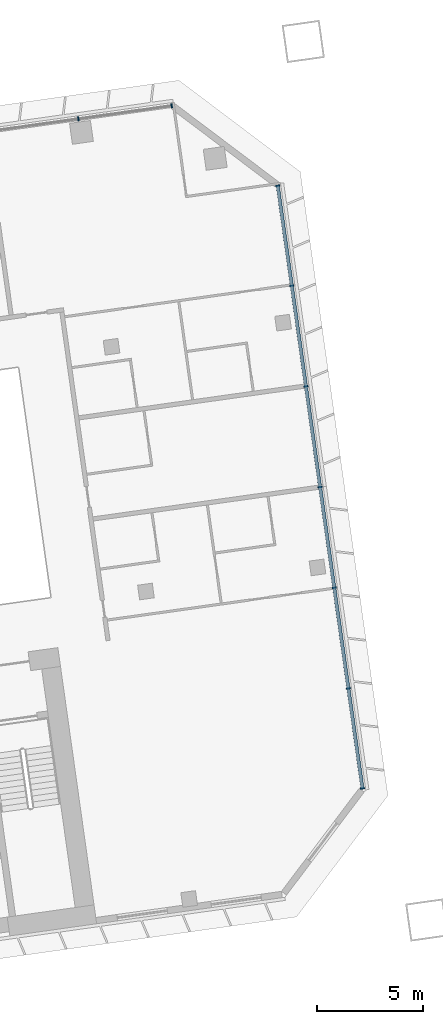
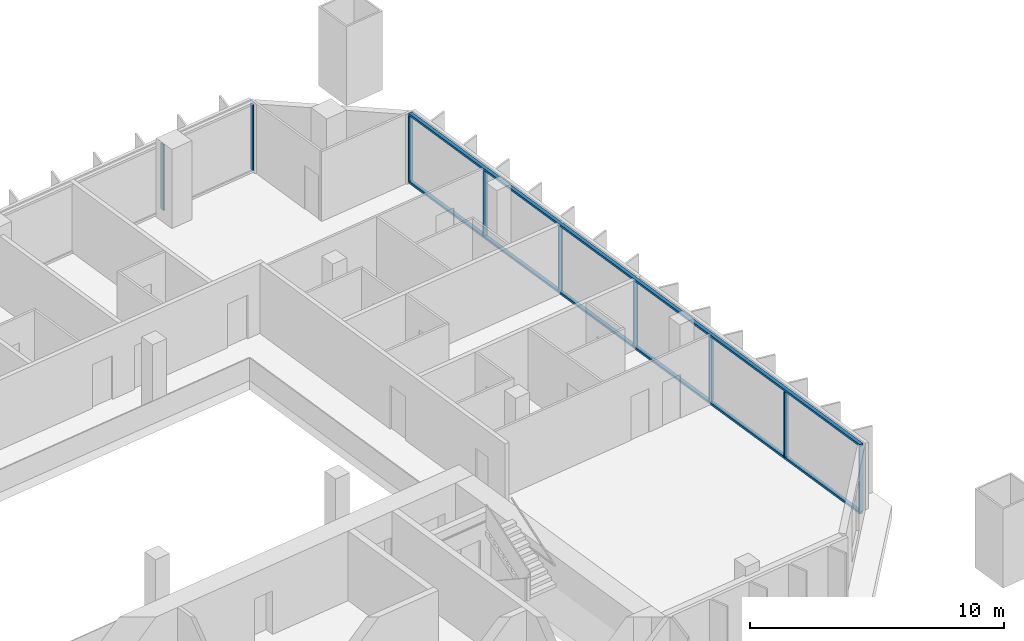
# One storey, part 11 of 25: 11 members, 2 elements without a shape of their own.
"""IFC4 building model written with IfcOpenShell, lengths in metres."""

from ifc_helpers import new_model, si_unit, direction, frame, origin, origin_2d, place, context, subcontext, project, spatial, rectangle, extrude, material, material_profile, profile_set, type_object, element, aggregate, save


model = new_model("IFC4")

# Units and contexts
model_context = context("Model", 3, precision=1e-05, world=origin(), true_north=direction((0.0, 1.0)))
body_context = subcontext(model_context, "Body", "Model", "MODEL_VIEW")
ifc_project = project(units=[si_unit("LENGTHUNIT", "METRE"), si_unit("AREAUNIT", "SQUARE_METRE"), si_unit("VOLUMEUNIT", "CUBIC_METRE"), si_unit("PLANEANGLEUNIT", "RADIAN"), si_unit("MASSUNIT", "GRAM", prefix="KILO")], contexts=[model_context])

# Site, building, storey
site_placement = place(None, origin())
site = spatial("IfcSite", under=ifc_project, at=site_placement, CompositionType="ELEMENT")
building_placement = place(site_placement, origin())
building = spatial("IfcBuilding", under=site, at=building_placement, Name="Mirante Cascada Hotel Towers", CompositionType="ELEMENT")
storey_placement = place(building_placement, frame((0.0, 0.0, 69.9)))
storey = spatial("IfcBuildingStorey", under=building, at=storey_placement, Name="L14", CompositionType="ELEMENT", Elevation=69.9)

# Curtain wall, members
ifc_material_1 = material(Name="Aluminium mullion and transom frame with clear laminated glass", Category="aluminium")
curtain_wall_type_1 = type_object("IfcCurtainWallType", Name="Ribbon curtain wall ECW1", PredefinedType="NOTDEFINED", material=ifc_material_1)
curtain_wall_1_placement = place(storey_placement, origin())
curtain_wall_1 = element("IfcCurtainWall", 1, at=curtain_wall_1_placement, inside=storey, type_object=curtain_wall_type_1, Name="Front ribbon wall T2 L14", PredefinedType="NOTDEFINED")
ifc_material_2 = material(Name="Anodised aluminium extrusion", Category="aluminium")
ifc_material_profile_1 = material_profile(ifc_material_2, rectangle(XDim=0.2, YDim=0.065, at=origin_2d()), Name="ECW1 MULLION 65x200")
ifc_profile_set_1 = profile_set([ifc_material_profile_1], Name="Anodised aluminium extrusion")
member_type_1 = type_object("IfcMemberType", Name="ECW1 mullion 65x200", PredefinedType="MULLION", material=ifc_profile_set_1)
member_1_placement = place(storey_placement, frame((94.126, 26.0476, 0.1), z_axis=(0.0, 0.0, 1.0), x_axis=(0.1391731, -0.9902681, 0.0)))
member_1 = element("IfcMember", 2, at=member_1_placement, type_object=member_type_1, Name="ECW1 mullion 1", PredefinedType="MULLION", context=body_context, shape_type="SweptSolid", body=[
    extrude(rectangle(XDim=0.2, YDim=0.065, at=origin_2d()), origin(), (0.0, 0.0, 1.0), 3.15),
])
member_2_placement = place(storey_placement, frame((89.7107, 25.427, 0.1), z_axis=(0.0, 0.0, 1.0), x_axis=(0.1391731, -0.9902681, 0.0)))
member_2 = element("IfcMember", 3, at=member_2_placement, type_object=member_type_1, Name="ECW1 mullion 2", PredefinedType="MULLION", context=body_context, shape_type="SweptSolid", body=[
    extrude(rectangle(XDim=0.2, YDim=0.065, at=origin_2d()), origin(), (0.0, 0.0, 1.0), 3.15),
])
aggregate(curtain_wall_1, [member_1, member_2])

ifc_material_3 = material(Name="Aluminium mullion and transom frame with clear laminated glass", Category="aluminium")
curtain_wall_type_2 = type_object("IfcCurtainWallType", Name="End ribbon curtain wall ECW2", PredefinedType="NOTDEFINED", material=ifc_material_3)
curtain_wall_2_placement = place(storey_placement, origin())
curtain_wall_2 = element("IfcCurtainWall", 4, at=curtain_wall_2_placement, inside=storey, type_object=curtain_wall_type_2, Name="Outer end wall T2 L14", PredefinedType="NOTDEFINED")
ifc_material_4 = material(Name="Anodised aluminium extrusion", Category="aluminium")
ifc_material_profile_2 = material_profile(ifc_material_4, rectangle(XDim=0.2, YDim=0.065, at=origin_2d()), Name="ECW2 MULLION 65x200")
ifc_profile_set_2 = profile_set([ifc_material_profile_2], Name="Anodised aluminium extrusion")
member_type_2 = type_object("IfcMemberType", Name="ECW2 mullion 65x200", PredefinedType="MULLION", material=ifc_profile_set_2)
member_3_placement = place(storey_placement, frame((103.1556, -6.2656, 0.1), z_axis=(0.0, 0.0, 1.0), x_axis=(-0.9902681, -0.1391731, 0.0)))
member_3 = element("IfcMember", 5, at=member_3_placement, type_object=member_type_2, Name="ECW2 mullion 1", PredefinedType="MULLION", context=body_context, shape_type="SweptSolid", body=[
    extrude(rectangle(XDim=0.2, YDim=0.065, at=origin_2d()), origin(), (0.0, 0.0, 1.0), 3.15),
])
member_4_placement = place(storey_placement, frame((102.4903, -1.532, 0.1), z_axis=(0.0, 0.0, 1.0), x_axis=(-0.9902681, -0.1391731, 0.0)))
member_4 = element("IfcMember", 6, at=member_4_placement, type_object=member_type_2, Name="ECW2 mullion 2", PredefinedType="MULLION", context=body_context, shape_type="SweptSolid", body=[
    extrude(rectangle(XDim=0.2, YDim=0.065, at=origin_2d()), origin(), (0.0, 0.0, 1.0), 3.15),
])
member_5_placement = place(storey_placement, frame((101.8205, 3.2338, 0.1), z_axis=(0.0, 0.0, 1.0), x_axis=(-0.9902681, -0.1391731, 0.0)))
member_5 = element("IfcMember", 7, at=member_5_placement, type_object=member_type_2, Name="ECW2 mullion 3", PredefinedType="MULLION", context=body_context, shape_type="SweptSolid", body=[
    extrude(rectangle(XDim=0.2, YDim=0.065, at=origin_2d()), origin(), (0.0, 0.0, 1.0), 3.15),
])
member_6_placement = place(storey_placement, frame((101.1508, 7.9996, 0.1), z_axis=(0.0, 0.0, 1.0), x_axis=(-0.9902681, -0.1391731, 0.0)))
member_6 = element("IfcMember", 8, at=member_6_placement, type_object=member_type_2, Name="ECW2 mullion 4", PredefinedType="MULLION", context=body_context, shape_type="SweptSolid", body=[
    extrude(rectangle(XDim=0.2, YDim=0.065, at=origin_2d()), origin(), (0.0, 0.0, 1.0), 3.15),
])
member_7_placement = place(storey_placement, frame((100.481, 12.7654, 0.1), z_axis=(0.0, 0.0, 1.0), x_axis=(-0.9902681, -0.1391731, 0.0)))
member_7 = element("IfcMember", 9, at=member_7_placement, type_object=member_type_2, Name="ECW2 mullion 5", PredefinedType="MULLION", context=body_context, shape_type="SweptSolid", body=[
    extrude(rectangle(XDim=0.2, YDim=0.065, at=origin_2d()), origin(), (0.0, 0.0, 1.0), 3.15),
])
member_8_placement = place(storey_placement, frame((99.8112, 17.5312, 0.1), z_axis=(0.0, 0.0, 1.0), x_axis=(-0.9902681, -0.1391731, 0.0)))
member_8 = element("IfcMember", 10, at=member_8_placement, type_object=member_type_2, Name="ECW2 mullion 6", PredefinedType="MULLION", context=body_context, shape_type="SweptSolid", body=[
    extrude(rectangle(XDim=0.2, YDim=0.065, at=origin_2d()), origin(), (0.0, 0.0, 1.0), 3.15),
])
member_9_placement = place(storey_placement, frame((99.1459, 22.2648, 0.1), z_axis=(0.0, 0.0, 1.0), x_axis=(-0.9902681, -0.1391731, 0.0)))
member_9 = element("IfcMember", 11, at=member_9_placement, type_object=member_type_2, Name="ECW2 mullion 7", PredefinedType="MULLION", context=body_context, shape_type="SweptSolid", body=[
    extrude(rectangle(XDim=0.2, YDim=0.065, at=origin_2d()), origin(), (0.0, 0.0, 1.0), 3.15),
])
ifc_material_5 = material(Name="Anodised aluminium extrusion", Category="aluminium")
ifc_material_profile_3 = material_profile(ifc_material_5, rectangle(XDim=0.16, YDim=0.1, at=origin_2d()), Name="ECW2 TRANSOM 100x160")
ifc_profile_set_3 = profile_set([ifc_material_profile_3], Name="Anodised aluminium extrusion")
member_type_3 = type_object("IfcMemberType", Name="ECW2 transom 100x160", PredefinedType="USERDEFINED", material=ifc_profile_set_3)
member_10_placement = place(storey_placement, frame((103.1601, -6.2978, 0.05), z_axis=(-0.1391723, 0.9902682, 0.0), x_axis=(-0.9902682, -0.1391723, 0.0)))
member_10 = element("IfcMember", 12, at=member_10_placement, type_object=member_type_3, Name="ECW2 sill transom", ObjectType="TRANSOM", PredefinedType="USERDEFINED", context=body_context, shape_type="SweptSolid", body=[
    extrude(rectangle(XDim=0.16, YDim=0.1, at=origin_2d()), origin(), (0.0, 0.0, 1.0), 28.8757),
])
member_11_placement = place(storey_placement, frame((103.1601, -6.2978, 3.3), z_axis=(-0.1391723, 0.9902682, 0.0), x_axis=(-0.9902682, -0.1391723, 0.0)))
member_11 = element("IfcMember", 13, at=member_11_placement, type_object=member_type_3, Name="ECW2 head transom", ObjectType="TRANSOM", PredefinedType="USERDEFINED", context=body_context, shape_type="SweptSolid", body=[
    extrude(rectangle(XDim=0.16, YDim=0.1, at=origin_2d()), origin(), (0.0, 0.0, 1.0), 28.8757),
])
aggregate(curtain_wall_2, [member_10, member_11, member_3, member_4, member_5, member_6, member_7, member_8, member_9])

save(model, "model.ifc")
